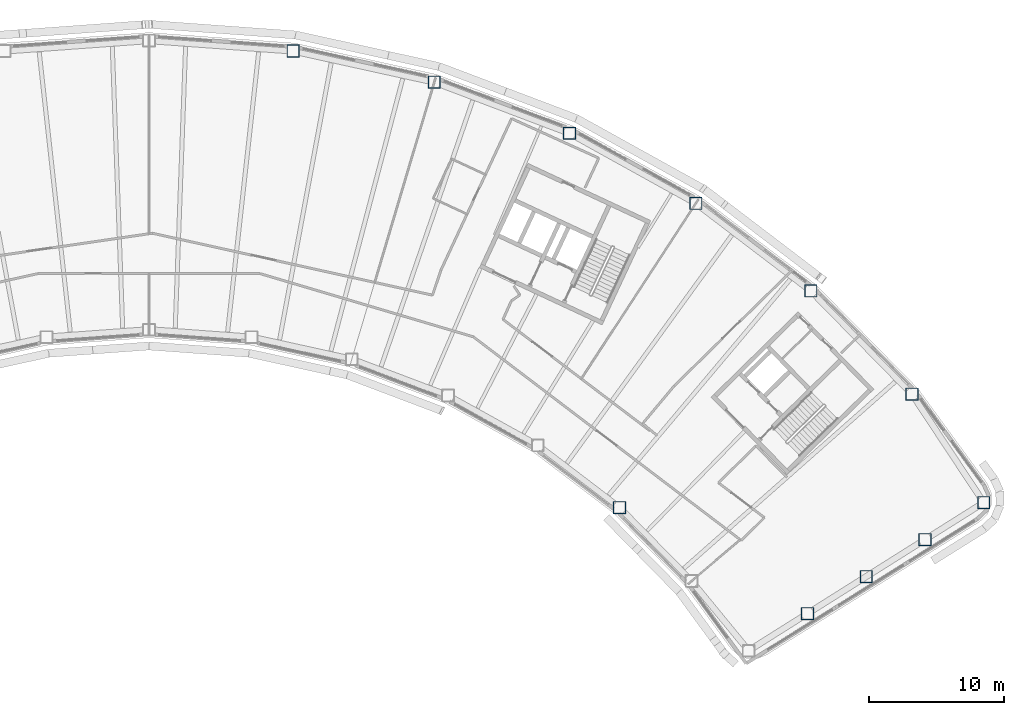
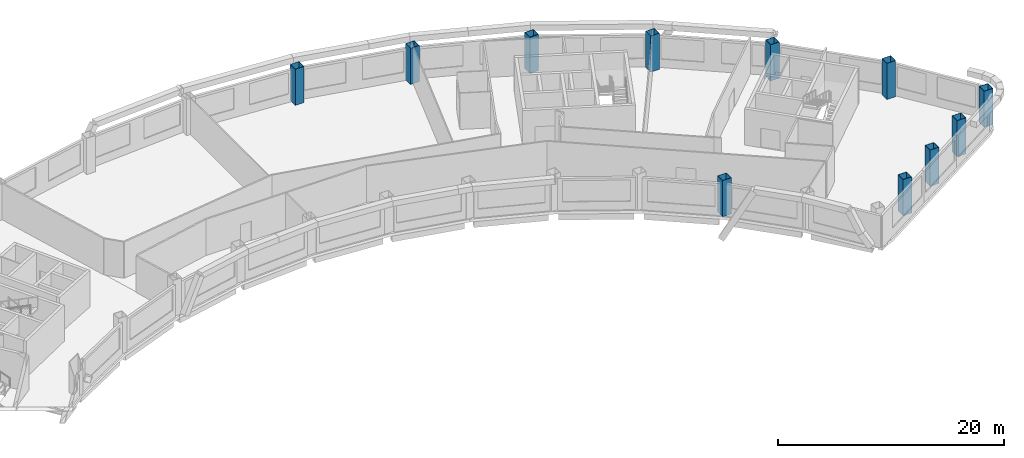
# One storey, part 2 of 12: 11 columns.
"""IFC4 building model written with IfcOpenShell, lengths in metres."""

from ifc_helpers import new_model, si_unit, direction, frame, origin, origin_2d, place, context, subcontext, project, spatial, hollow_rectangle, extrude, material, material_profile, profile_set, type_object, element, save


model = new_model("IFC4")

# Units and contexts
model_context = context("Model", 3, precision=1e-05, world=origin(), true_north=direction((0.0, 1.0)))
body_context = subcontext(model_context, "Body", "Model", "MODEL_VIEW")
ifc_project = project(units=[si_unit("LENGTHUNIT", "METRE"), si_unit("AREAUNIT", "SQUARE_METRE"), si_unit("VOLUMEUNIT", "CUBIC_METRE"), si_unit("PLANEANGLEUNIT", "RADIAN"), si_unit("MASSUNIT", "GRAM", prefix="KILO")], contexts=[model_context])

# Site, building, storey
site_placement = place(None, origin())
site = spatial("IfcSite", under=ifc_project, at=site_placement, CompositionType="ELEMENT")
building_placement = place(site_placement, origin())
building = spatial("IfcBuilding", under=site, at=building_placement, Name="Tuul Gate Civic Tower", CompositionType="ELEMENT")
storey_placement = place(building_placement, frame((0.0, 0.0, 193.10009765625)))
storey = spatial("IfcBuildingStorey", under=building, at=storey_placement, Name="Level 44", CompositionType="ELEMENT", Elevation=193.10009765625)

# Columns
ifc_material = material(Name="Steel S355", Category="steel")
ifc_material_profile = material_profile(ifc_material, hollow_rectangle(XDim=0.89990234375, YDim=0.89990234375, WallThickness=0.031982421875, at=origin_2d()), Name="BOX900x900x32")
ifc_profile_set = profile_set([ifc_material_profile], Name="Steel S355")
column_type = type_object("IfcColumnType", Name="STR-COLUMN-BOX900x900x32", PredefinedType="COLUMN", material=ifc_profile_set)
for number, where, z_axis, x_axis, name in (
    (1, (62.660888671875, -20.512939453125, 0.0), (0.0, 0.0, 1.0), (1.0, 0.0, 0.0), "Column"),
    (2, (57.362060546875, -12.5, 0.0), (0.0, 0.0, 1.0), (1.0, 0.0, 0.0), "Column"),
    (3, (49.886962890625, -4.875, 0.0), (0.0, 0.0, 1.0), (1.0, 0.0, 0.0), "Column"),
    (4, (41.39208984375, 1.593017578125, 0.0), (0.0, 0.0, 1.0), (1.0, 0.0, 0.0), "Column"),
    (5, (32.053955078125, 6.77001953125, 0.0), (0.0, 0.0, 1.0), (1.0, 0.0, 0.0), "Column"),
    (6, (22.06689453125, 10.5458984375, 0.0), (0.0, 0.0, 1.0), (1.0, 0.0, 0.0), "Column"),
    (7, (11.638916015625, 12.843994140625, 0.0), (0.0, 0.0, 1.0), (1.0, 0.0, 0.0), "Column"),
    (8, (35.757080078125, -20.886962890625, 0.0), (0.0, 0.0, 1.0), (1.0, 0.0, 0.0), "Column"),
    (9, (49.633056640625, -28.716064453125, 0.0), (0.0, 0.0, 1.0), (1.0, 0.0, 0.0), "Column"),
    (10, (53.97607421875, -25.98193359375, 0.0), (0.0, 0.0, 1.0), (1.0, 0.0, 0.0), "Column"),
    (11, (58.318115234375, -23.2470703125, 0.0), (0.0, 0.0, 1.0), (1.0, 0.0, 0.0), "Column"),
):
    element("IfcColumn", number, at=place(storey_placement, frame(where, z_axis=z_axis, x_axis=x_axis)), inside=storey, type_object=column_type, Name=name, PredefinedType="COLUMN", context=body_context, shape_type="SweptSolid", body=[
        extrude(hollow_rectangle(XDim=0.89990234375, YDim=0.89990234375, WallThickness=0.031982421875, at=origin_2d()), origin(), (0.0, 0.0, 1.0), 3.89990234375),
    ])

save(model, "model.ifc")
